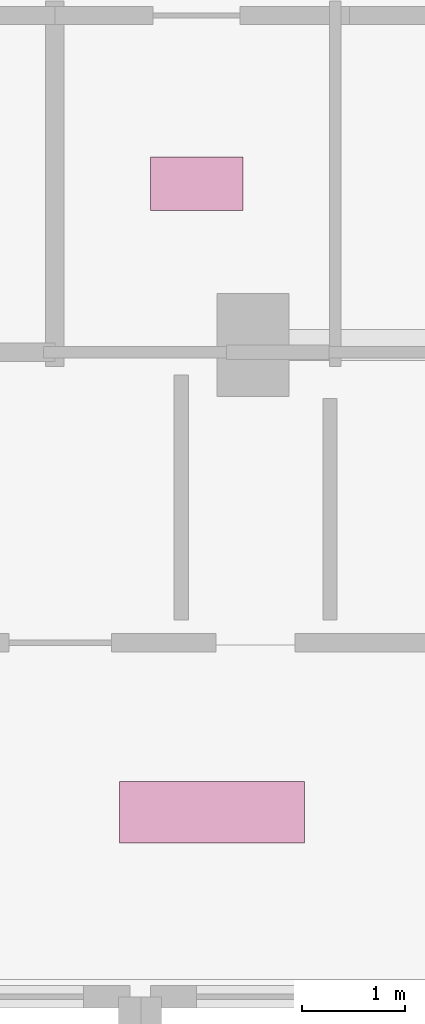
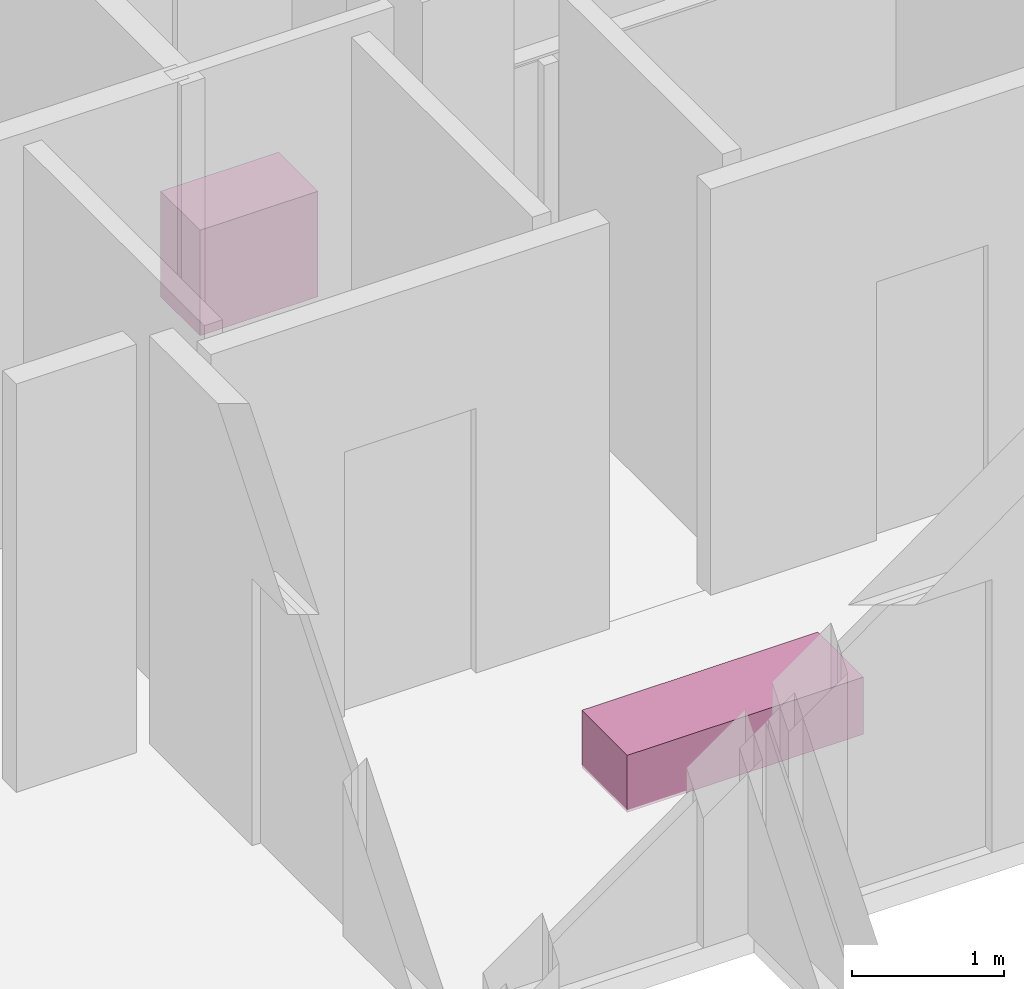
# One storey, part 33 of 33: 2 furnishings.
"""IFC4 building model written with IfcOpenShell, lengths in metres."""

from ifc_helpers import new_model, si_unit, direction, frame, origin, origin_2d, place, context, subcontext, project, spatial, rectangle, extrude, material, type_object, element, save


model = new_model("IFC4")

# Units and contexts
model_context = context("Model", 3, precision=1e-05, world=origin(), true_north=direction((0.0, 1.0)))
body_context = subcontext(model_context, "Body", "Model", "MODEL_VIEW")
ifc_project = project(units=[si_unit("LENGTHUNIT", "METRE"), si_unit("AREAUNIT", "SQUARE_METRE"), si_unit("VOLUMEUNIT", "CUBIC_METRE"), si_unit("PLANEANGLEUNIT", "RADIAN"), si_unit("MASSUNIT", "GRAM", prefix="KILO")], contexts=[model_context])

# Site, building, storey
site_placement = place(None, origin())
site = spatial("IfcSite", under=ifc_project, at=site_placement, CompositionType="ELEMENT")
building_placement = place(site_placement, origin())
building = spatial("IfcBuilding", under=site, at=building_placement, Name="Vorneva Point Tower", CompositionType="ELEMENT")
storey_placement = place(building_placement, frame((0.0, 0.0, 203.64990234375)))
storey = spatial("IfcBuildingStorey", under=building, at=storey_placement, Name="L55", CompositionType="ELEMENT", Elevation=203.64990234375)

# Furnishings
ifc_material_1 = material(Name="Engineered oak fire-rated door leaf", Category="wood")
furniture_type_1 = type_object("IfcFurnitureType", Name="FUR-BNC-1800", AssemblyPlace="NOTDEFINED", PredefinedType="NOTDEFINED", material=ifc_material_1)
furnishing_1_placement = place(storey_placement, frame((35.0, 26.0, -0.0048828125), z_axis=(0.0, 0.0, 1.0), x_axis=(1.0, 0.0, 0.0)))
element("IfcFurnishingElement", 1, at=furnishing_1_placement, inside=storey, type_object=furniture_type_1, Name="L55 Lift Lobby Seating Bench", ObjectType="L55 Lift Lobby Seating Bench", context=body_context, shape_type="SweptSolid", body=[
    extrude(rectangle(XDim=1.800048828125, YDim=0.60009765625, at=origin_2d()), origin(), (0.0, 0.0, 1.0), 0.4599609375),
])
ifc_material_2 = material(Name="Vitreous china and granite top", Category="masonry")
furniture_type_2 = type_object("IfcFurnitureType", Name="FUR-VAN-900", AssemblyPlace="NOTDEFINED", PredefinedType="NOTDEFINED", material=ifc_material_2)
furnishing_2_placement = place(storey_placement, frame((34.85009765625, 32.1201171875, -0.0048828125), z_axis=(0.0, 0.0, 1.0), x_axis=(1.0, 0.0, 0.0)))
element("IfcFurnishingElement", 2, at=furnishing_2_placement, inside=storey, type_object=furniture_type_2, Name="L55 Public Male WC Vanity Unit", ObjectType="L55 Public Male WC Vanity Unit", context=body_context, shape_type="SweptSolid", body=[
    extrude(rectangle(XDim=0.89990234375, YDim=0.52001953125, at=origin_2d()), origin(), (0.0, 0.0, 1.0), 0.85009765625),
])

save(model, "model.ifc")
